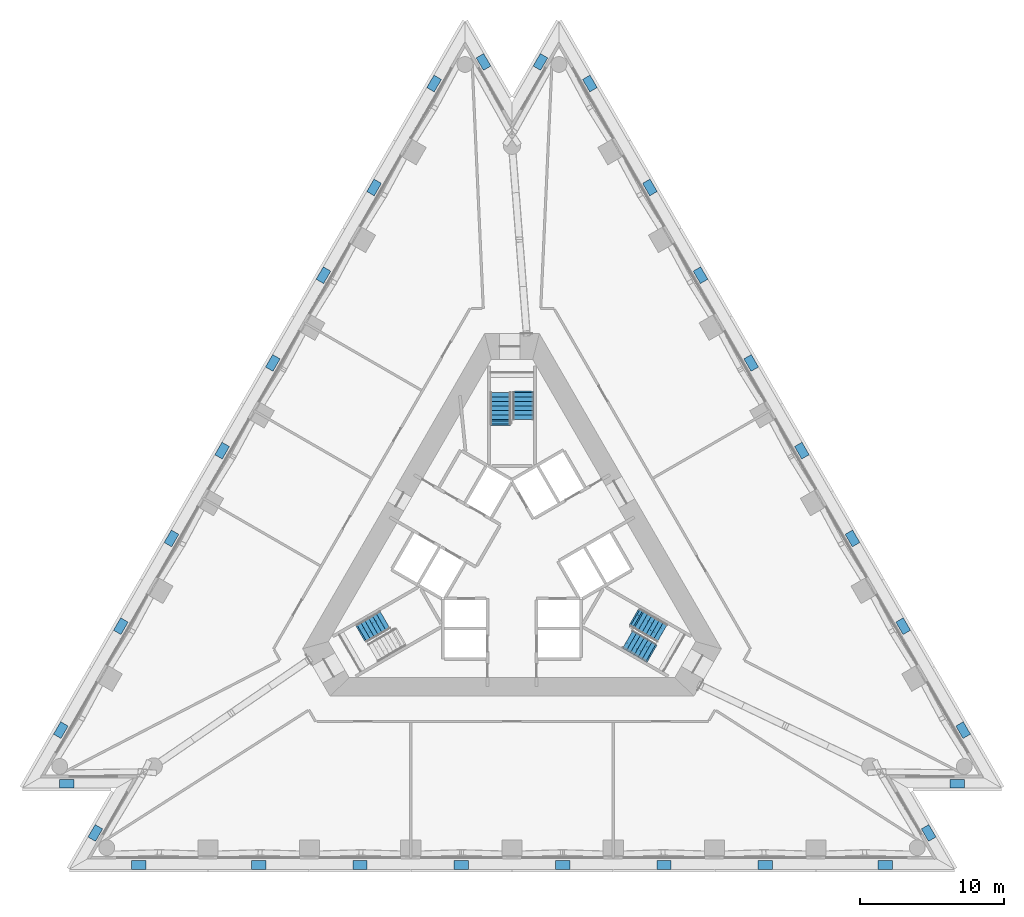
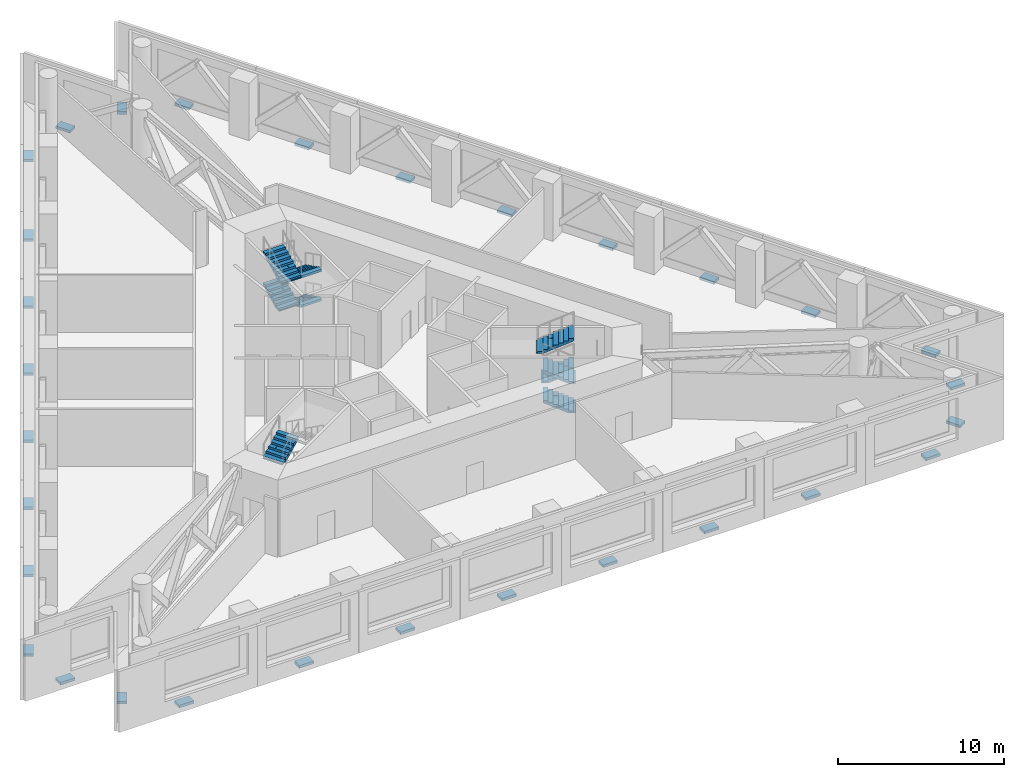
# One storey, part 10 of 12: 30 discrete accessories, 9 stair flights, 3 elements without a shape of their own.
"""IFC4 building model written with IfcOpenShell, lengths in metres."""

from ifc_helpers import new_model, si_unit, direction, frame, origin, origin_2d, place, context, subcontext, project, spatial, polyline, rectangle, outline, extrude, material, type_object, element, aggregate, save


model = new_model("IFC4")

# Units and contexts
model_context = context("Model", 3, precision=1e-05, world=origin(), true_north=direction((0.0, 1.0)))
body_context = subcontext(model_context, "Body", "Model", "MODEL_VIEW")
ifc_project = project(units=[si_unit("LENGTHUNIT", "METRE"), si_unit("AREAUNIT", "SQUARE_METRE"), si_unit("VOLUMEUNIT", "CUBIC_METRE"), si_unit("PLANEANGLEUNIT", "RADIAN"), si_unit("MASSUNIT", "GRAM", prefix="KILO")], contexts=[model_context])

# Site, building, storey
site_placement = place(None, origin())
site = spatial("IfcSite", under=ifc_project, at=site_placement, CompositionType="ELEMENT")
building_placement = place(site_placement, origin())
building = spatial("IfcBuilding", under=site, at=building_placement, Name="Triada Interchange Tower", CompositionType="ELEMENT")
storey_placement = place(building_placement, frame((0.0, 0.0, 99.800048828125)))
storey = spatial("IfcBuildingStorey", under=building, at=storey_placement, Name="L22", CompositionType="ELEMENT", Elevation=99.800048828125)

# Stair, stair flights
ifc_material_1 = material(Name="Concrete C35/45", Category="concrete")
stair_type = type_object("IfcStairType", Name="HALF TURN STAIR 1400", PredefinedType="HALF_TURN_STAIR", material=ifc_material_1)
stair_1_placement = place(storey_placement, origin())
stair_1 = element("IfcStair", 1, at=stair_1_placement, inside=storey, type_object=stair_type, Name="Exit stair S22-1", PredefinedType="HALF_TURN_STAIR")
stair_flight_type = type_object("IfcStairFlightType", Name="STRAIGHT STAIR FLIGHT 1400", PredefinedType="STRAIGHT", material=ifc_material_1)
stair_flight_1_placement = place(storey_placement, frame((0.800048828125, 11.60009765625, 0.0), z_axis=(0.0, 0.0, 1.0), x_axis=(0.0, -1.0, 0.0)))
stair_flight_1 = element("IfcStairFlight", 2, at=stair_flight_1_placement, type_object=stair_flight_type, Name="S22-1 flight 1", NumberOfRisers=7, NumberOfTreads=6, PredefinedType="STRAIGHT", RiserHeight=0.15517, TreadLength=0.31, context=body_context, shape_type="SweptSolid", body=[
    extrude(outline(polyline([(-0.10009765625, 0.0), (-0.10009765625, 0.02001953125), (0.0, 0.02001953125), (0.0, 0.1552734375), (0.31005859375, 0.1552734375), (0.31005859375, 0.310302734375), (0.6201171875, 0.310302734375), (0.6201171875, 0.465576171875), (0.929931640625, 0.465576171875), (0.929931640625, 0.62060546875), (1.239990234375, 0.62060546875), (1.239990234375, 0.77587890625), (1.550048828125, 0.77587890625), (1.550048828125, 0.930908203125), (1.860107421875, 0.930908203125), (1.864013671875, 0.930908203125), (1.864013671875, 1.086181640625), (1.864013671875, 0.763427734375), (0.3349609375, 0.0), (-0.10009765625, 0.0)])), frame((0.0, 0.699951171875, 0.0), z_axis=(0.0, -1.0, 0.0), x_axis=(1.0, 0.0, 0.0)), (0.0, 0.0, 1.0), 0.46533203125),
    extrude(outline(polyline([(-0.10009765625, 0.0), (-0.10009765625, 0.02001953125), (0.0, 0.02001953125), (0.0, 0.1552734375), (0.31005859375, 0.1552734375), (0.31005859375, 0.310302734375), (0.6201171875, 0.310302734375), (0.6201171875, 0.465576171875), (0.929931640625, 0.465576171875), (0.929931640625, 0.62060546875), (1.239990234375, 0.62060546875), (1.239990234375, 0.77587890625), (1.550048828125, 0.77587890625), (1.550048828125, 0.930908203125), (1.860107421875, 0.930908203125), (1.864013671875, 0.930908203125), (1.864013671875, 1.086181640625), (1.864013671875, 0.763427734375), (0.3349609375, 0.0), (-0.10009765625, 0.0)])), frame((0.0, 0.232666015625, 0.0), z_axis=(0.0, -1.0, 0.0), x_axis=(1.0, 0.0, 0.0)), (0.0, 0.0, 1.0), 0.46533203125),
    extrude(outline(polyline([(-0.10009765625, 0.0), (-0.10009765625, 0.02001953125), (0.0, 0.02001953125), (0.0, 0.1552734375), (0.31005859375, 0.1552734375), (0.31005859375, 0.310302734375), (0.6201171875, 0.310302734375), (0.6201171875, 0.465576171875), (0.929931640625, 0.465576171875), (0.929931640625, 0.62060546875), (1.239990234375, 0.62060546875), (1.239990234375, 0.77587890625), (1.550048828125, 0.77587890625), (1.550048828125, 0.930908203125), (1.860107421875, 0.930908203125), (1.864013671875, 0.930908203125), (1.864013671875, 1.086181640625), (1.864013671875, 0.763427734375), (0.3349609375, 0.0), (-0.10009765625, 0.0)])), frame((0.0, -0.234619140625, 0.0), z_axis=(0.0, -1.0, 0.0), x_axis=(1.0, 0.0, 0.0)), (0.0, 0.0, 1.0), 0.46533203125),
])
stair_flight_2_placement = place(storey_placement, frame((-0.800048828125, 9.739990234375, 1.086181640625), z_axis=(0.0, 0.0, 1.0), x_axis=(0.0, 1.0, 0.0)))
stair_flight_2 = element("IfcStairFlight", 3, at=stair_flight_2_placement, type_object=stair_flight_type, Name="S22-1 flight 2", NumberOfRisers=7, NumberOfTreads=6, PredefinedType="STRAIGHT", RiserHeight=0.15517, TreadLength=0.31, context=body_context, shape_type="SweptSolid", body=[
    extrude(outline(polyline([(-0.10009765625, 0.0), (-0.10009765625, 0.02001953125), (0.0, 0.02001953125), (0.0, 0.1552734375), (0.31005859375, 0.1552734375), (0.31005859375, 0.310302734375), (0.6201171875, 0.310302734375), (0.6201171875, 0.465576171875), (0.929931640625, 0.465576171875), (0.929931640625, 0.62060546875), (1.239990234375, 0.62060546875), (1.239990234375, 0.77587890625), (1.550048828125, 0.77587890625), (1.550048828125, 0.930908203125), (1.860107421875, 0.930908203125), (1.864013671875, 0.930908203125), (1.864013671875, 1.086181640625), (1.864013671875, 0.763427734375), (0.3349609375, 0.0), (-0.10009765625, 0.0)])), frame((0.0, 0.699951171875, 0.0), z_axis=(0.0, -1.0, 0.0), x_axis=(1.0, 0.0, 0.0)), (0.0, 0.0, 1.0), 0.46533203125),
    extrude(outline(polyline([(-0.10009765625, 0.0), (-0.10009765625, 0.02001953125), (0.0, 0.02001953125), (0.0, 0.1552734375), (0.31005859375, 0.1552734375), (0.31005859375, 0.310302734375), (0.6201171875, 0.310302734375), (0.6201171875, 0.465576171875), (0.929931640625, 0.465576171875), (0.929931640625, 0.62060546875), (1.239990234375, 0.62060546875), (1.239990234375, 0.77587890625), (1.550048828125, 0.77587890625), (1.550048828125, 0.930908203125), (1.860107421875, 0.930908203125), (1.864013671875, 0.930908203125), (1.864013671875, 1.086181640625), (1.864013671875, 0.763427734375), (0.3349609375, 0.0), (-0.10009765625, 0.0)])), frame((0.0, 0.232666015625, 0.0), z_axis=(0.0, -1.0, 0.0), x_axis=(1.0, 0.0, 0.0)), (0.0, 0.0, 1.0), 0.46533203125),
    extrude(outline(polyline([(-0.10009765625, 0.0), (-0.10009765625, 0.02001953125), (0.0, 0.02001953125), (0.0, 0.1552734375), (0.31005859375, 0.1552734375), (0.31005859375, 0.310302734375), (0.6201171875, 0.310302734375), (0.6201171875, 0.465576171875), (0.929931640625, 0.465576171875), (0.929931640625, 0.62060546875), (1.239990234375, 0.62060546875), (1.239990234375, 0.77587890625), (1.550048828125, 0.77587890625), (1.550048828125, 0.930908203125), (1.860107421875, 0.930908203125), (1.864013671875, 0.930908203125), (1.864013671875, 1.086181640625), (1.864013671875, 0.763427734375), (0.3349609375, 0.0), (-0.10009765625, 0.0)])), frame((0.0, -0.234619140625, 0.0), z_axis=(0.0, -1.0, 0.0), x_axis=(1.0, 0.0, 0.0)), (0.0, 0.0, 1.0), 0.46533203125),
])
stair_flight_3_placement = place(storey_placement, frame((0.800048828125, 11.60009765625, 2.17236328125), z_axis=(0.0, 0.0, 1.0), x_axis=(0.0, -1.0, 0.0)))
stair_flight_3 = element("IfcStairFlight", 4, at=stair_flight_3_placement, type_object=stair_flight_type, Name="S22-1 flight 3", NumberOfRisers=7, NumberOfTreads=6, PredefinedType="STRAIGHT", RiserHeight=0.15517, TreadLength=0.31, context=body_context, shape_type="SweptSolid", body=[
    extrude(outline(polyline([(-0.10009765625, 0.0), (-0.10009765625, 0.02001953125), (0.0, 0.02001953125), (0.0, 0.1552734375), (0.31005859375, 0.1552734375), (0.31005859375, 0.310302734375), (0.6201171875, 0.310302734375), (0.6201171875, 0.465576171875), (0.929931640625, 0.465576171875), (0.929931640625, 0.62060546875), (1.239990234375, 0.62060546875), (1.239990234375, 0.77587890625), (1.550048828125, 0.77587890625), (1.550048828125, 0.930908203125), (1.860107421875, 0.930908203125), (1.864013671875, 0.930908203125), (1.864013671875, 1.086181640625), (1.864013671875, 0.763427734375), (0.3349609375, 0.0), (-0.10009765625, 0.0)])), frame((0.0, 0.699951171875, 0.0), z_axis=(0.0, -1.0, 0.0), x_axis=(1.0, 0.0, 0.0)), (0.0, 0.0, 1.0), 0.46533203125),
    extrude(outline(polyline([(-0.10009765625, 0.0), (-0.10009765625, 0.02001953125), (0.0, 0.02001953125), (0.0, 0.1552734375), (0.31005859375, 0.1552734375), (0.31005859375, 0.310302734375), (0.6201171875, 0.310302734375), (0.6201171875, 0.465576171875), (0.929931640625, 0.465576171875), (0.929931640625, 0.62060546875), (1.239990234375, 0.62060546875), (1.239990234375, 0.77587890625), (1.550048828125, 0.77587890625), (1.550048828125, 0.930908203125), (1.860107421875, 0.930908203125), (1.864013671875, 0.930908203125), (1.864013671875, 1.086181640625), (1.864013671875, 0.763427734375), (0.3349609375, 0.0), (-0.10009765625, 0.0)])), frame((0.0, 0.232666015625, 0.0), z_axis=(0.0, -1.0, 0.0), x_axis=(1.0, 0.0, 0.0)), (0.0, 0.0, 1.0), 0.46533203125),
    extrude(outline(polyline([(-0.10009765625, 0.0), (-0.10009765625, 0.02001953125), (0.0, 0.02001953125), (0.0, 0.1552734375), (0.31005859375, 0.1552734375), (0.31005859375, 0.310302734375), (0.6201171875, 0.310302734375), (0.6201171875, 0.465576171875), (0.929931640625, 0.465576171875), (0.929931640625, 0.62060546875), (1.239990234375, 0.62060546875), (1.239990234375, 0.77587890625), (1.550048828125, 0.77587890625), (1.550048828125, 0.930908203125), (1.860107421875, 0.930908203125), (1.864013671875, 0.930908203125), (1.864013671875, 1.086181640625), (1.864013671875, 0.763427734375), (0.3349609375, 0.0), (-0.10009765625, 0.0)])), frame((0.0, -0.234619140625, 0.0), z_axis=(0.0, -1.0, 0.0), x_axis=(1.0, 0.0, 0.0)), (0.0, 0.0, 1.0), 0.46533203125),
])
stair_flight_4_placement = place(storey_placement, frame((-0.800048828125, 9.429931640625, 3.258544921875), z_axis=(0.0, 0.0, 1.0), x_axis=(0.0, 1.0, 0.0)))
stair_flight_4 = element("IfcStairFlight", 5, at=stair_flight_4_placement, type_object=stair_flight_type, Name="S22-1 flight 4", NumberOfRisers=8, NumberOfTreads=7, PredefinedType="STRAIGHT", RiserHeight=0.15517, TreadLength=0.31, context=body_context, shape_type="SweptSolid", body=[
    extrude(outline(polyline([(-0.10009765625, 0.0), (-0.10009765625, 0.02001953125), (0.0, 0.02001953125), (0.0, 0.1552734375), (0.31005859375, 0.1552734375), (0.31005859375, 0.310302734375), (0.6201171875, 0.310302734375), (0.6201171875, 0.465576171875), (0.929931640625, 0.465576171875), (0.929931640625, 0.62060546875), (1.239990234375, 0.62060546875), (1.239990234375, 0.77587890625), (1.550048828125, 0.77587890625), (1.550048828125, 0.930908203125), (1.860107421875, 0.930908203125), (1.860107421875, 1.086181640625), (2.169921875, 1.086181640625), (2.174072265625, 1.086181640625), (2.174072265625, 1.241455078125), (2.174072265625, 0.91845703125), (0.3349609375, 0.0), (-0.10009765625, 0.0)])), frame((0.0, 0.699951171875, 0.0), z_axis=(0.0, -1.0, 0.0), x_axis=(1.0, 0.0, 0.0)), (0.0, 0.0, 1.0), 0.46533203125),
    extrude(outline(polyline([(-0.10009765625, 0.0), (-0.10009765625, 0.02001953125), (0.0, 0.02001953125), (0.0, 0.1552734375), (0.31005859375, 0.1552734375), (0.31005859375, 0.310302734375), (0.6201171875, 0.310302734375), (0.6201171875, 0.465576171875), (0.929931640625, 0.465576171875), (0.929931640625, 0.62060546875), (1.239990234375, 0.62060546875), (1.239990234375, 0.77587890625), (1.550048828125, 0.77587890625), (1.550048828125, 0.930908203125), (1.860107421875, 0.930908203125), (1.860107421875, 1.086181640625), (2.169921875, 1.086181640625), (2.174072265625, 1.086181640625), (2.174072265625, 1.241455078125), (2.174072265625, 0.91845703125), (0.3349609375, 0.0), (-0.10009765625, 0.0)])), frame((0.0, 0.232666015625, 0.0), z_axis=(0.0, -1.0, 0.0), x_axis=(1.0, 0.0, 0.0)), (0.0, 0.0, 1.0), 0.46533203125),
    extrude(outline(polyline([(-0.10009765625, 0.0), (-0.10009765625, 0.02001953125), (0.0, 0.02001953125), (0.0, 0.1552734375), (0.31005859375, 0.1552734375), (0.31005859375, 0.310302734375), (0.6201171875, 0.310302734375), (0.6201171875, 0.465576171875), (0.929931640625, 0.465576171875), (0.929931640625, 0.62060546875), (1.239990234375, 0.62060546875), (1.239990234375, 0.77587890625), (1.550048828125, 0.77587890625), (1.550048828125, 0.930908203125), (1.860107421875, 0.930908203125), (1.860107421875, 1.086181640625), (2.169921875, 1.086181640625), (2.174072265625, 1.086181640625), (2.174072265625, 1.241455078125), (2.174072265625, 0.91845703125), (0.3349609375, 0.0), (-0.10009765625, 0.0)])), frame((0.0, -0.234619140625, 0.0), z_axis=(0.0, -1.0, 0.0), x_axis=(1.0, 0.0, 0.0)), (0.0, 0.0, 1.0), 0.46533203125),
])
aggregate(stair_1, [stair_flight_1, stair_flight_2, stair_flight_3, stair_flight_4])

# Stair, stair flight
stair_2_placement = place(storey_placement, origin())
stair_2 = element("IfcStair", 6, at=stair_2_placement, inside=storey, type_object=stair_type, Name="Exit stair S22-2", PredefinedType="HALF_TURN_STAIR")
stair_flight_5_placement = place(storey_placement, frame((-10.446044921875, -5.10693359375, 2.17236328125), z_axis=(0.0, 0.0, 1.0), x_axis=(0.866025403784, 0.5, 0.0)))
stair_flight_5 = element("IfcStairFlight", 7, at=stair_flight_5_placement, type_object=stair_flight_type, Name="S22-2 flight 3", NumberOfRisers=7, NumberOfTreads=6, PredefinedType="STRAIGHT", RiserHeight=0.15517, TreadLength=0.31, context=body_context, shape_type="SweptSolid", body=[
    extrude(outline(polyline([(-0.10009765625, 0.0), (-0.10009765625, 0.02001953125), (0.0, 0.02001953125), (0.0, 0.1552734375), (0.31005859375, 0.1552734375), (0.31005859375, 0.310302734375), (0.6201171875, 0.310302734375), (0.6201171875, 0.465576171875), (0.929931640625, 0.465576171875), (0.929931640625, 0.62060546875), (1.239990234375, 0.62060546875), (1.239990234375, 0.77587890625), (1.550048828125, 0.77587890625), (1.550048828125, 0.930908203125), (1.860107421875, 0.930908203125), (1.864013671875, 0.930908203125), (1.864013671875, 1.086181640625), (1.864013671875, 0.763427734375), (0.3349609375, 0.0), (-0.10009765625, 0.0)])), frame((0.0, 0.699951171875, 0.0), z_axis=(0.0, -1.0, 0.0), x_axis=(1.0, 0.0, 0.0)), (0.0, 0.0, 1.0), 0.46533203125),
    extrude(outline(polyline([(-0.10009765625, 0.0), (-0.10009765625, 0.02001953125), (0.0, 0.02001953125), (0.0, 0.1552734375), (0.31005859375, 0.1552734375), (0.31005859375, 0.310302734375), (0.6201171875, 0.310302734375), (0.6201171875, 0.465576171875), (0.929931640625, 0.465576171875), (0.929931640625, 0.62060546875), (1.239990234375, 0.62060546875), (1.239990234375, 0.77587890625), (1.550048828125, 0.77587890625), (1.550048828125, 0.930908203125), (1.860107421875, 0.930908203125), (1.864013671875, 0.930908203125), (1.864013671875, 1.086181640625), (1.864013671875, 0.763427734375), (0.3349609375, 0.0), (-0.10009765625, 0.0)])), frame((0.0, 0.232666015625, 0.0), z_axis=(0.0, -1.0, 0.0), x_axis=(1.0, 0.0, 0.0)), (0.0, 0.0, 1.0), 0.46533203125),
    extrude(outline(polyline([(-0.10009765625, 0.0), (-0.10009765625, 0.02001953125), (0.0, 0.02001953125), (0.0, 0.1552734375), (0.31005859375, 0.1552734375), (0.31005859375, 0.310302734375), (0.6201171875, 0.310302734375), (0.6201171875, 0.465576171875), (0.929931640625, 0.465576171875), (0.929931640625, 0.62060546875), (1.239990234375, 0.62060546875), (1.239990234375, 0.77587890625), (1.550048828125, 0.77587890625), (1.550048828125, 0.930908203125), (1.860107421875, 0.930908203125), (1.864013671875, 0.930908203125), (1.864013671875, 1.086181640625), (1.864013671875, 0.763427734375), (0.3349609375, 0.0), (-0.10009765625, 0.0)])), frame((0.0, -0.234619140625, 0.0), z_axis=(0.0, -1.0, 0.0), x_axis=(1.0, 0.0, 0.0)), (0.0, 0.0, 1.0), 0.46533203125),
])
aggregate(stair_2, [stair_flight_5])

# Stair, stair flights
stair_3_placement = place(storey_placement, origin())
stair_3 = element("IfcStair", 8, at=stair_3_placement, inside=storey, type_object=stair_type, Name="Exit stair S22-3", PredefinedType="HALF_TURN_STAIR")
stair_flight_6_placement = place(storey_placement, frame((9.64599609375, -6.492919921875, 0.0), z_axis=(0.0, 0.0, 1.0), x_axis=(-0.866025403784, 0.5, 0.0)))
stair_flight_6 = element("IfcStairFlight", 9, at=stair_flight_6_placement, type_object=stair_flight_type, Name="S22-3 flight 1", NumberOfRisers=7, NumberOfTreads=6, PredefinedType="STRAIGHT", RiserHeight=0.15517, TreadLength=0.31, context=body_context, shape_type="SweptSolid", body=[
    extrude(outline(polyline([(-0.10009765625, 0.0), (-0.10009765625, 0.02001953125), (0.0, 0.02001953125), (0.0, 0.1552734375), (0.31005859375, 0.1552734375), (0.31005859375, 0.310302734375), (0.6201171875, 0.310302734375), (0.6201171875, 0.465576171875), (0.929931640625, 0.465576171875), (0.929931640625, 0.62060546875), (1.239990234375, 0.62060546875), (1.239990234375, 0.77587890625), (1.550048828125, 0.77587890625), (1.550048828125, 0.930908203125), (1.860107421875, 0.930908203125), (1.864013671875, 0.930908203125), (1.864013671875, 1.086181640625), (1.864013671875, 0.763427734375), (0.3349609375, 0.0), (-0.10009765625, 0.0)])), frame((0.0, 0.699951171875, 0.0), z_axis=(0.0, -1.0, 0.0), x_axis=(1.0, 0.0, 0.0)), (0.0, 0.0, 1.0), 0.46533203125),
    extrude(outline(polyline([(-0.10009765625, 0.0), (-0.10009765625, 0.02001953125), (0.0, 0.02001953125), (0.0, 0.1552734375), (0.31005859375, 0.1552734375), (0.31005859375, 0.310302734375), (0.6201171875, 0.310302734375), (0.6201171875, 0.465576171875), (0.929931640625, 0.465576171875), (0.929931640625, 0.62060546875), (1.239990234375, 0.62060546875), (1.239990234375, 0.77587890625), (1.550048828125, 0.77587890625), (1.550048828125, 0.930908203125), (1.860107421875, 0.930908203125), (1.864013671875, 0.930908203125), (1.864013671875, 1.086181640625), (1.864013671875, 0.763427734375), (0.3349609375, 0.0), (-0.10009765625, 0.0)])), frame((0.0, 0.232666015625, 0.0), z_axis=(0.0, -1.0, 0.0), x_axis=(1.0, 0.0, 0.0)), (0.0, 0.0, 1.0), 0.46533203125),
    extrude(outline(polyline([(-0.10009765625, 0.0), (-0.10009765625, 0.02001953125), (0.0, 0.02001953125), (0.0, 0.1552734375), (0.31005859375, 0.1552734375), (0.31005859375, 0.310302734375), (0.6201171875, 0.310302734375), (0.6201171875, 0.465576171875), (0.929931640625, 0.465576171875), (0.929931640625, 0.62060546875), (1.239990234375, 0.62060546875), (1.239990234375, 0.77587890625), (1.550048828125, 0.77587890625), (1.550048828125, 0.930908203125), (1.860107421875, 0.930908203125), (1.864013671875, 0.930908203125), (1.864013671875, 1.086181640625), (1.864013671875, 0.763427734375), (0.3349609375, 0.0), (-0.10009765625, 0.0)])), frame((0.0, -0.234619140625, 0.0), z_axis=(0.0, -1.0, 0.0), x_axis=(1.0, 0.0, 0.0)), (0.0, 0.0, 1.0), 0.46533203125),
])
stair_flight_7_placement = place(storey_placement, frame((8.8349609375, -4.177001953125, 1.086181640625), z_axis=(0.0, 0.0, 1.0), x_axis=(0.866025403784, -0.5, 0.0)))
stair_flight_7 = element("IfcStairFlight", 10, at=stair_flight_7_placement, type_object=stair_flight_type, Name="S22-3 flight 2", NumberOfRisers=7, NumberOfTreads=6, PredefinedType="STRAIGHT", RiserHeight=0.15517, TreadLength=0.31, context=body_context, shape_type="SweptSolid", body=[
    extrude(outline(polyline([(-0.10009765625, 0.0), (-0.10009765625, 0.02001953125), (0.0, 0.02001953125), (0.0, 0.1552734375), (0.31005859375, 0.1552734375), (0.31005859375, 0.310302734375), (0.6201171875, 0.310302734375), (0.6201171875, 0.465576171875), (0.929931640625, 0.465576171875), (0.929931640625, 0.62060546875), (1.239990234375, 0.62060546875), (1.239990234375, 0.77587890625), (1.550048828125, 0.77587890625), (1.550048828125, 0.930908203125), (1.860107421875, 0.930908203125), (1.864013671875, 0.930908203125), (1.864013671875, 1.086181640625), (1.864013671875, 0.763427734375), (0.3349609375, 0.0), (-0.10009765625, 0.0)])), frame((0.0, 0.699951171875, 0.0), z_axis=(0.0, -1.0, 0.0), x_axis=(1.0, 0.0, 0.0)), (0.0, 0.0, 1.0), 0.46533203125),
    extrude(outline(polyline([(-0.10009765625, 0.0), (-0.10009765625, 0.02001953125), (0.0, 0.02001953125), (0.0, 0.1552734375), (0.31005859375, 0.1552734375), (0.31005859375, 0.310302734375), (0.6201171875, 0.310302734375), (0.6201171875, 0.465576171875), (0.929931640625, 0.465576171875), (0.929931640625, 0.62060546875), (1.239990234375, 0.62060546875), (1.239990234375, 0.77587890625), (1.550048828125, 0.77587890625), (1.550048828125, 0.930908203125), (1.860107421875, 0.930908203125), (1.864013671875, 0.930908203125), (1.864013671875, 1.086181640625), (1.864013671875, 0.763427734375), (0.3349609375, 0.0), (-0.10009765625, 0.0)])), frame((0.0, 0.232666015625, 0.0), z_axis=(0.0, -1.0, 0.0), x_axis=(1.0, 0.0, 0.0)), (0.0, 0.0, 1.0), 0.46533203125),
    extrude(outline(polyline([(-0.10009765625, 0.0), (-0.10009765625, 0.02001953125), (0.0, 0.02001953125), (0.0, 0.1552734375), (0.31005859375, 0.1552734375), (0.31005859375, 0.310302734375), (0.6201171875, 0.310302734375), (0.6201171875, 0.465576171875), (0.929931640625, 0.465576171875), (0.929931640625, 0.62060546875), (1.239990234375, 0.62060546875), (1.239990234375, 0.77587890625), (1.550048828125, 0.77587890625), (1.550048828125, 0.930908203125), (1.860107421875, 0.930908203125), (1.864013671875, 0.930908203125), (1.864013671875, 1.086181640625), (1.864013671875, 0.763427734375), (0.3349609375, 0.0), (-0.10009765625, 0.0)])), frame((0.0, -0.234619140625, 0.0), z_axis=(0.0, -1.0, 0.0), x_axis=(1.0, 0.0, 0.0)), (0.0, 0.0, 1.0), 0.46533203125),
])
stair_flight_8_placement = place(storey_placement, frame((9.64599609375, -6.492919921875, 2.17236328125), z_axis=(0.0, 0.0, 1.0), x_axis=(-0.866025403784, 0.5, 0.0)))
stair_flight_8 = element("IfcStairFlight", 11, at=stair_flight_8_placement, type_object=stair_flight_type, Name="S22-3 flight 3", NumberOfRisers=7, NumberOfTreads=6, PredefinedType="STRAIGHT", RiserHeight=0.15517, TreadLength=0.31, context=body_context, shape_type="SweptSolid", body=[
    extrude(outline(polyline([(-0.10009765625, 0.0), (-0.10009765625, 0.02001953125), (0.0, 0.02001953125), (0.0, 0.1552734375), (0.31005859375, 0.1552734375), (0.31005859375, 0.310302734375), (0.6201171875, 0.310302734375), (0.6201171875, 0.465576171875), (0.929931640625, 0.465576171875), (0.929931640625, 0.62060546875), (1.239990234375, 0.62060546875), (1.239990234375, 0.77587890625), (1.550048828125, 0.77587890625), (1.550048828125, 0.930908203125), (1.860107421875, 0.930908203125), (1.864013671875, 0.930908203125), (1.864013671875, 1.086181640625), (1.864013671875, 0.763427734375), (0.3349609375, 0.0), (-0.10009765625, 0.0)])), frame((0.0, 0.699951171875, 0.0), z_axis=(0.0, -1.0, 0.0), x_axis=(1.0, 0.0, 0.0)), (0.0, 0.0, 1.0), 0.46533203125),
    extrude(outline(polyline([(-0.10009765625, 0.0), (-0.10009765625, 0.02001953125), (0.0, 0.02001953125), (0.0, 0.1552734375), (0.31005859375, 0.1552734375), (0.31005859375, 0.310302734375), (0.6201171875, 0.310302734375), (0.6201171875, 0.465576171875), (0.929931640625, 0.465576171875), (0.929931640625, 0.62060546875), (1.239990234375, 0.62060546875), (1.239990234375, 0.77587890625), (1.550048828125, 0.77587890625), (1.550048828125, 0.930908203125), (1.860107421875, 0.930908203125), (1.864013671875, 0.930908203125), (1.864013671875, 1.086181640625), (1.864013671875, 0.763427734375), (0.3349609375, 0.0), (-0.10009765625, 0.0)])), frame((0.0, 0.232666015625, 0.0), z_axis=(0.0, -1.0, 0.0), x_axis=(1.0, 0.0, 0.0)), (0.0, 0.0, 1.0), 0.46533203125),
    extrude(outline(polyline([(-0.10009765625, 0.0), (-0.10009765625, 0.02001953125), (0.0, 0.02001953125), (0.0, 0.1552734375), (0.31005859375, 0.1552734375), (0.31005859375, 0.310302734375), (0.6201171875, 0.310302734375), (0.6201171875, 0.465576171875), (0.929931640625, 0.465576171875), (0.929931640625, 0.62060546875), (1.239990234375, 0.62060546875), (1.239990234375, 0.77587890625), (1.550048828125, 0.77587890625), (1.550048828125, 0.930908203125), (1.860107421875, 0.930908203125), (1.864013671875, 0.930908203125), (1.864013671875, 1.086181640625), (1.864013671875, 0.763427734375), (0.3349609375, 0.0), (-0.10009765625, 0.0)])), frame((0.0, -0.234619140625, 0.0), z_axis=(0.0, -1.0, 0.0), x_axis=(1.0, 0.0, 0.0)), (0.0, 0.0, 1.0), 0.46533203125),
])
stair_flight_9_placement = place(storey_placement, frame((8.56689453125, -4.02197265625, 3.258544921875), z_axis=(0.0, 0.0, 1.0), x_axis=(0.866025403784, -0.5, 0.0)))
stair_flight_9 = element("IfcStairFlight", 12, at=stair_flight_9_placement, type_object=stair_flight_type, Name="S22-3 flight 4", NumberOfRisers=8, NumberOfTreads=7, PredefinedType="STRAIGHT", RiserHeight=0.15517, TreadLength=0.31, context=body_context, shape_type="SweptSolid", body=[
    extrude(outline(polyline([(-0.10009765625, 0.0), (-0.10009765625, 0.02001953125), (0.0, 0.02001953125), (0.0, 0.1552734375), (0.31005859375, 0.1552734375), (0.31005859375, 0.310302734375), (0.6201171875, 0.310302734375), (0.6201171875, 0.465576171875), (0.929931640625, 0.465576171875), (0.929931640625, 0.62060546875), (1.239990234375, 0.62060546875), (1.239990234375, 0.77587890625), (1.550048828125, 0.77587890625), (1.550048828125, 0.930908203125), (1.860107421875, 0.930908203125), (1.860107421875, 1.086181640625), (2.169921875, 1.086181640625), (2.174072265625, 1.086181640625), (2.174072265625, 1.241455078125), (2.174072265625, 0.91845703125), (0.3349609375, 0.0), (-0.10009765625, 0.0)])), frame((0.0, 0.699951171875, 0.0), z_axis=(0.0, -1.0, 0.0), x_axis=(1.0, 0.0, 0.0)), (0.0, 0.0, 1.0), 0.46533203125),
    extrude(outline(polyline([(-0.10009765625, 0.0), (-0.10009765625, 0.02001953125), (0.0, 0.02001953125), (0.0, 0.1552734375), (0.31005859375, 0.1552734375), (0.31005859375, 0.310302734375), (0.6201171875, 0.310302734375), (0.6201171875, 0.465576171875), (0.929931640625, 0.465576171875), (0.929931640625, 0.62060546875), (1.239990234375, 0.62060546875), (1.239990234375, 0.77587890625), (1.550048828125, 0.77587890625), (1.550048828125, 0.930908203125), (1.860107421875, 0.930908203125), (1.860107421875, 1.086181640625), (2.169921875, 1.086181640625), (2.174072265625, 1.086181640625), (2.174072265625, 1.241455078125), (2.174072265625, 0.91845703125), (0.3349609375, 0.0), (-0.10009765625, 0.0)])), frame((0.0, 0.232666015625, 0.0), z_axis=(0.0, -1.0, 0.0), x_axis=(1.0, 0.0, 0.0)), (0.0, 0.0, 1.0), 0.46533203125),
    extrude(outline(polyline([(-0.10009765625, 0.0), (-0.10009765625, 0.02001953125), (0.0, 0.02001953125), (0.0, 0.1552734375), (0.31005859375, 0.1552734375), (0.31005859375, 0.310302734375), (0.6201171875, 0.310302734375), (0.6201171875, 0.465576171875), (0.929931640625, 0.465576171875), (0.929931640625, 0.62060546875), (1.239990234375, 0.62060546875), (1.239990234375, 0.77587890625), (1.550048828125, 0.77587890625), (1.550048828125, 0.930908203125), (1.860107421875, 0.930908203125), (1.860107421875, 1.086181640625), (2.169921875, 1.086181640625), (2.174072265625, 1.086181640625), (2.174072265625, 1.241455078125), (2.174072265625, 0.91845703125), (0.3349609375, 0.0), (-0.10009765625, 0.0)])), frame((0.0, -0.234619140625, 0.0), z_axis=(0.0, -1.0, 0.0), x_axis=(1.0, 0.0, 0.0)), (0.0, 0.0, 1.0), 0.46533203125),
])
aggregate(stair_3, [stair_flight_6, stair_flight_7, stair_flight_8, stair_flight_9])

# Discrete accessories
ifc_material_2 = material(Name="Steel S355", Category="steel")
discrete_accessory_type = type_object("IfcDiscreteAccessoryType", Name="Steel bracket outer skin", PredefinedType="BRACKET", material=ifc_material_2)
for number, where, z_axis, x_axis, name in (
    (13, (-5.412109375, 33.080078125, -0.419921875), (0.0, 0.0, 1.0), (-0.866029548912, 0.49999282036, 0.0), "Bracket L22 01"),
    (14, (-9.58203125, 25.85791015625, -0.419921875), (0.0, 0.0, 1.0), (-0.866029548912, 0.49999282036, 0.0), "Bracket L22 02"),
    (15, (-13.10205078125, 19.760009765625, -0.419921875), (0.0, 0.0, 1.0), (-0.866029548912, 0.49999282036, 0.0), "Bracket L22 03"),
    (16, (-16.623046875, 13.662109375, -0.419921875), (0.0, 0.0, 1.0), (-0.866029548912, 0.49999282036, 0.0), "Bracket L22 04"),
    (17, (-20.14306640625, 7.56494140625, -0.419921875), (0.0, 0.0, 1.0), (-0.866029548912, 0.49999282036, 0.0), "Bracket L22 05"),
    (18, (-23.6630859375, 1.467041015625, -0.419921875), (0.0, 0.0, 1.0), (-0.866029548912, 0.49999282036, 0.0), "Bracket L22 06"),
    (19, (-27.18408203125, -4.631103515625, -0.419921875), (0.0, 0.0, 1.0), (-0.866029548912, 0.49999282036, 0.0), "Bracket L22 07"),
    (20, (-31.35400390625, -11.85302734375, -0.419921875), (0.0, 0.0, 1.0), (-0.866029548912, 0.49999282036, 0.0), "Bracket L22 08"),
    (21, (-30.93408203125, -15.576904296875, -0.419921875), (0.0, 0.0, 1.0), (0.0, -1.0, 0.0), "Bracket L22 09"),
    (22, (-28.95703125, -19.001953125, -0.419921875), (0.0, 0.0, 1.0), (-0.866027332367, 0.499996659582, 0.0), "Bracket L22 10"),
    (23, (-25.94189453125, -21.22705078125, -0.419921875), (0.0, 0.0, 1.0), (0.0, -1.0, 0.0), "Bracket L22 11"),
    (24, (-17.60205078125, -21.22705078125, -0.419921875), (0.0, 0.0, 1.0), (0.0, -1.0, 0.0), "Bracket L22 12"),
    (25, (-10.56103515625, -21.22705078125, -0.419921875), (0.0, 0.0, 1.0), (0.0, -1.0, 0.0), "Bracket L22 13"),
    (26, (-3.52001953125, -21.22705078125, -0.419921875), (0.0, 0.0, 1.0), (0.0, -1.0, 0.0), "Bracket L22 14"),
    (27, (3.52001953125, -21.22705078125, -0.419921875), (0.0, 0.0, 1.0), (0.0, -1.0, 0.0), "Bracket L22 15"),
    (28, (10.56103515625, -21.22705078125, -0.419921875), (0.0, 0.0, 1.0), (0.0, -1.0, 0.0), "Bracket L22 16"),
    (29, (17.60205078125, -21.22705078125, -0.419921875), (0.0, 0.0, 1.0), (0.0, -1.0, 0.0), "Bracket L22 17"),
    (30, (25.94189453125, -21.22705078125, -0.419921875), (0.0, 0.0, 1.0), (0.0, -1.0, 0.0), "Bracket L22 18"),
    (31, (28.95703125, -19.001953125, -0.419921875), (0.0, 0.0, 1.0), (0.866027332367, 0.499996659582, 0.0), "Bracket L22 19"),
    (32, (30.93408203125, -15.576904296875, -0.419921875), (0.0, 0.0, 1.0), (0.0, -1.0, 0.0), "Bracket L22 20"),
    (33, (31.35400390625, -11.85302734375, -0.419921875), (0.0, 0.0, 1.0), (0.866029548912, 0.49999282036, 0.0), "Bracket L22 21"),
    (34, (27.18408203125, -4.631103515625, -0.419921875), (0.0, 0.0, 1.0), (0.866029548912, 0.49999282036, 0.0), "Bracket L22 22"),
    (35, (23.6630859375, 1.467041015625, -0.419921875), (0.0, 0.0, 1.0), (0.866029548912, 0.49999282036, 0.0), "Bracket L22 23"),
    (36, (20.14306640625, 7.56494140625, -0.419921875), (0.0, 0.0, 1.0), (0.866029548912, 0.49999282036, 0.0), "Bracket L22 24"),
    (37, (16.623046875, 13.662109375, -0.419921875), (0.0, 0.0, 1.0), (0.866029548912, 0.49999282036, 0.0), "Bracket L22 25"),
    (38, (13.10205078125, 19.760009765625, -0.419921875), (0.0, 0.0, 1.0), (0.866029548912, 0.49999282036, 0.0), "Bracket L22 26"),
    (39, (9.58203125, 25.85791015625, -0.419921875), (0.0, 0.0, 1.0), (0.866029548912, 0.49999282036, 0.0), "Bracket L22 27"),
    (40, (5.412109375, 33.080078125, -0.419921875), (0.0, 0.0, 1.0), (0.866029548912, 0.49999282036, 0.0), "Bracket L22 28"),
    (41, (1.97705078125, 34.5791015625, -0.419921875), (0.0, 0.0, 1.0), (-0.866065639546, 0.49993030314, 0.0), "Bracket L22 29"),
    (42, (-1.97705078125, 34.5791015625, -0.419921875), (0.0, 0.0, 1.0), (0.866065639546, 0.49993030314, 0.0), "Bracket L22 30"),
):
    element("IfcDiscreteAccessory", number, at=place(storey_placement, frame(where, z_axis=z_axis, x_axis=x_axis)), inside=storey, type_object=discrete_accessory_type, Name=name, PredefinedType="BRACKET", context=body_context, shape_type="SweptSolid", body=[
        extrude(rectangle(XDim=0.60009765625, YDim=1.0, at=origin_2d()), origin(), (0.0, 0.0, 1.0), 0.199951171875),
    ])

save(model, "model.ifc")
